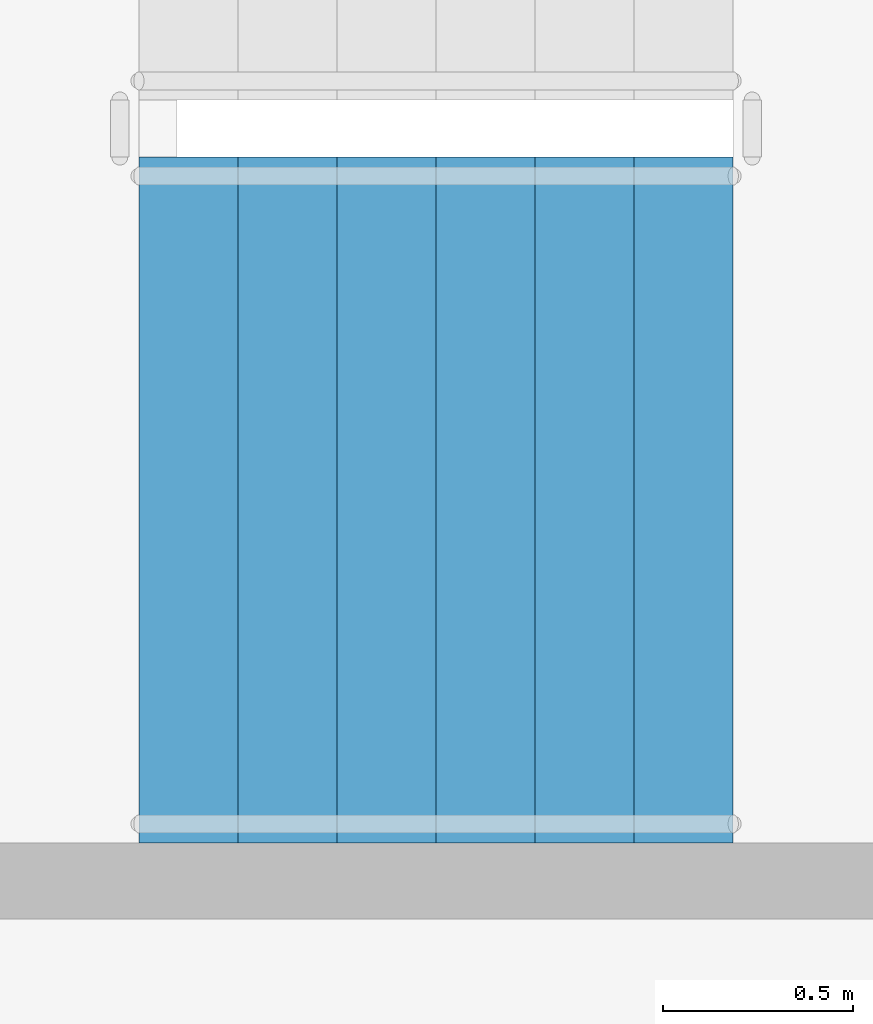
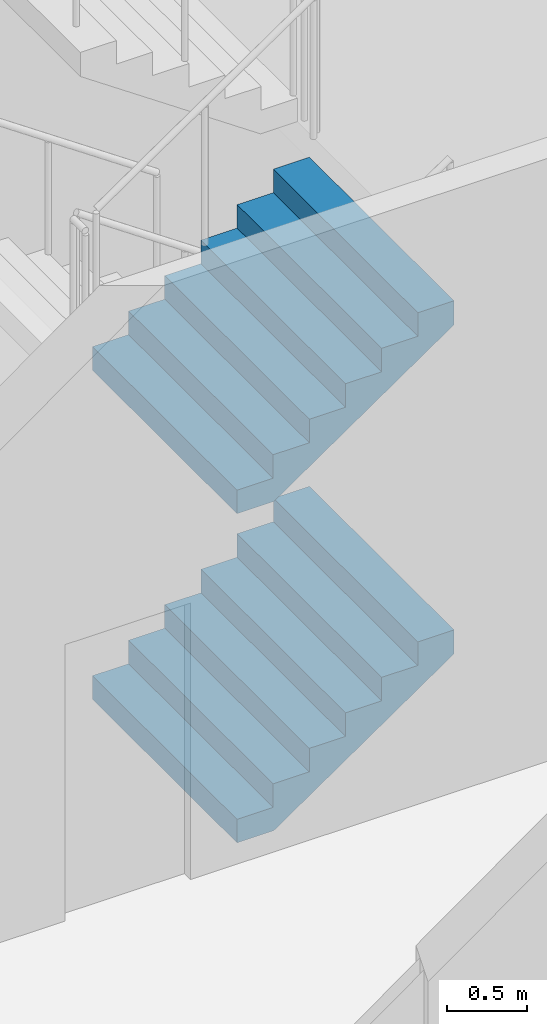
# One storey, part 38 of 59: 2 stair flights, 1 element without a shape of its own.
"""IFC4 building model written with IfcOpenShell, lengths in metres."""

from ifc_helpers import new_model, si_unit, direction, frame, origin, place, context, subcontext, project, spatial, faceted_brep, material, type_object, element, aggregate, save


model = new_model("IFC4")

# Units and contexts
model_context = context("Model", 3, precision=1e-05, world=origin(), true_north=direction((0.0, 1.0)))
body_context = subcontext(model_context, "Body", "Model", "MODEL_VIEW")
ifc_project = project(units=[si_unit("LENGTHUNIT", "METRE"), si_unit("AREAUNIT", "SQUARE_METRE"), si_unit("VOLUMEUNIT", "CUBIC_METRE"), si_unit("PLANEANGLEUNIT", "RADIAN"), si_unit("MASSUNIT", "GRAM", prefix="KILO")], contexts=[model_context])

# Site, building, storey
site_placement = place(None, origin())
site = spatial("IfcSite", under=ifc_project, at=site_placement, CompositionType="ELEMENT")
building_placement = place(site_placement, origin())
building = spatial("IfcBuilding", under=site, at=building_placement, Name="Ipe Terrace Towers", CompositionType="ELEMENT")
storey_placement = place(building_placement, frame((0.0, 0.0, 6.0)))
storey = spatial("IfcBuildingStorey", under=building, at=storey_placement, Name="L01", CompositionType="ELEMENT", Elevation=6.0)

# Stair, stair flights
ifc_material_1 = material(Name="Concrete C30/37", Category="concrete")
stair_type = type_object("IfcStairType", Name="Protected exit stair", PredefinedType="HALF_TURN_STAIR", material=ifc_material_1)
stair_placement = place(storey_placement, origin())
stair = element("IfcStair", 1, at=stair_placement, inside=storey, type_object=stair_type, Name="L01 Podium exit stair PS6", PredefinedType="HALF_TURN_STAIR")
ifc_material_2 = material(Name="Concrete C30/37", Category="concrete")
stair_flight_type = type_object("IfcStairFlightType", Name="Exit stair flight 1800", PredefinedType="STRAIGHT", material=ifc_material_2)
stair_flight_1_placement = place(storey_placement, frame((49.77001953125, -22.5, 0.0), z_axis=(0.0, 0.0, 1.0), x_axis=(1.0, 0.0, 0.0)))
stair_flight_1 = element("IfcStairFlight", 2, at=stair_flight_1_placement, type_object=stair_flight_type, Name="PS6 flight 1", NumberOfRisers=7, NumberOfTreads=6, PredefinedType="STRAIGHT", RiserHeight=0.178571429, TreadLength=0.26, context=body_context, shape_type="Brep", body=[
    faceted_brep([(0.264892578125, -0.89990234375, 0.0), (1.56005859375, -0.89990234375, 0.8896484375), (1.56005859375, -0.89990234375, 1.071533203125), (1.300048828125, -0.89990234375, 1.071533203125), (1.300048828125, -0.89990234375, 0.892822265625), (1.0400390625, -0.89990234375, 0.892822265625), (1.0400390625, -0.89990234375, 0.71435546875), (0.780029296875, -0.89990234375, 0.71435546875), (0.780029296875, -0.89990234375, 0.53564453125), (0.52001953125, -0.89990234375, 0.53564453125), (0.52001953125, -0.89990234375, 0.357177734375), (0.260009765625, -0.89990234375, 0.357177734375), (0.260009765625, -0.89990234375, 0.178466796875), (0.0, -0.89990234375, 0.178466796875), (0.0, -0.89990234375, 0.0), (0.0, 0.89990234375, 0.0), (0.0, 0.89990234375, 0.178466796875), (0.260009765625, 0.89990234375, 0.178466796875), (0.260009765625, 0.89990234375, 0.357177734375), (0.52001953125, 0.89990234375, 0.357177734375), (0.52001953125, 0.89990234375, 0.53564453125), (0.780029296875, 0.89990234375, 0.53564453125), (0.780029296875, 0.89990234375, 0.71435546875), (1.0400390625, 0.89990234375, 0.71435546875), (1.0400390625, 0.89990234375, 0.892822265625), (1.300048828125, 0.89990234375, 0.892822265625), (1.300048828125, 0.89990234375, 1.071533203125), (1.56005859375, 0.89990234375, 1.071533203125), (1.56005859375, 0.89990234375, 0.8896484375), (0.264892578125, 0.89990234375, 0.0), (0.0, -0.300048828125, 0.178466796875), (0.0, -0.1201171875, 0.178466796875), (0.0, -0.06005859375, 0.178466796875), (0.0, -0.030029296875, 0.178466796875), (0.0, -0.010009765625, 0.178466796875), (0.0, 0.0, 0.178466796875), (0.0, 0.010009765625, 0.178466796875), (0.0, 0.030029296875, 0.178466796875), (0.0, 0.06005859375, 0.178466796875), (0.0, 0.1201171875, 0.178466796875), (0.0, 0.300048828125, 0.178466796875), (0.0, 0.300048828125, 0.0), (0.0, 0.1201171875, 0.0), (0.0, 0.06005859375, 0.0), (0.0, 0.030029296875, 0.0), (0.0, 0.010009765625, 0.0), (0.0, 0.0, 0.0), (0.0, -0.010009765625, 0.0), (0.0, -0.030029296875, 0.0), (0.0, -0.06005859375, 0.0), (0.0, -0.1201171875, 0.0), (0.0, -0.300048828125, 0.0), (0.260009765625, -0.300048828125, 0.178466796875), (0.260009765625, -0.1201171875, 0.178466796875), (0.260009765625, -0.06005859375, 0.178466796875), (0.260009765625, -0.030029296875, 0.178466796875), (0.260009765625, -0.010009765625, 0.178466796875), (0.260009765625, 0.0, 0.178466796875), (0.260009765625, 0.010009765625, 0.178466796875), (0.260009765625, 0.030029296875, 0.178466796875), (0.260009765625, 0.06005859375, 0.178466796875), (0.260009765625, 0.1201171875, 0.178466796875), (0.260009765625, 0.300048828125, 0.178466796875), (0.260009765625, -0.300048828125, 0.357177734375), (0.260009765625, -0.1201171875, 0.357177734375), (0.260009765625, -0.06005859375, 0.357177734375), (0.260009765625, -0.030029296875, 0.357177734375), (0.260009765625, -0.010009765625, 0.357177734375), (0.260009765625, 0.0, 0.357177734375), (0.260009765625, 0.010009765625, 0.357177734375), (0.260009765625, 0.030029296875, 0.357177734375), (0.260009765625, 0.06005859375, 0.357177734375), (0.260009765625, 0.1201171875, 0.357177734375), (0.260009765625, 0.300048828125, 0.357177734375), (0.52001953125, -0.300048828125, 0.357177734375), (0.52001953125, -0.1201171875, 0.357177734375), (0.52001953125, -0.06005859375, 0.357177734375), (0.52001953125, -0.030029296875, 0.357177734375), (0.52001953125, -0.010009765625, 0.357177734375), (0.52001953125, 0.0, 0.357177734375), (0.52001953125, 0.010009765625, 0.357177734375), (0.52001953125, 0.030029296875, 0.357177734375), (0.52001953125, 0.06005859375, 0.357177734375), (0.52001953125, 0.1201171875, 0.357177734375), (0.52001953125, 0.300048828125, 0.357177734375), (0.52001953125, -0.300048828125, 0.53564453125), (0.52001953125, -0.1201171875, 0.53564453125), (0.52001953125, -0.06005859375, 0.53564453125), (0.52001953125, -0.030029296875, 0.53564453125), (0.52001953125, -0.010009765625, 0.53564453125), (0.52001953125, 0.0, 0.53564453125), (0.52001953125, 0.010009765625, 0.53564453125), (0.52001953125, 0.030029296875, 0.53564453125), (0.52001953125, 0.06005859375, 0.53564453125), (0.52001953125, 0.1201171875, 0.53564453125), (0.52001953125, 0.300048828125, 0.53564453125), (0.780029296875, -0.300048828125, 0.53564453125), (0.780029296875, -0.1201171875, 0.53564453125), (0.780029296875, -0.06005859375, 0.53564453125), (0.780029296875, -0.030029296875, 0.53564453125), (0.780029296875, -0.010009765625, 0.53564453125), (0.780029296875, 0.0, 0.53564453125), (0.780029296875, 0.010009765625, 0.53564453125), (0.780029296875, 0.030029296875, 0.53564453125), (0.780029296875, 0.06005859375, 0.53564453125), (0.780029296875, 0.1201171875, 0.53564453125), (0.780029296875, 0.300048828125, 0.53564453125), (0.780029296875, -0.300048828125, 0.71435546875), (0.780029296875, -0.1201171875, 0.71435546875), (0.780029296875, -0.06005859375, 0.71435546875), (0.780029296875, -0.030029296875, 0.71435546875), (0.780029296875, -0.010009765625, 0.71435546875), (0.780029296875, 0.0, 0.71435546875), (0.780029296875, 0.010009765625, 0.71435546875), (0.780029296875, 0.030029296875, 0.71435546875), (0.780029296875, 0.06005859375, 0.71435546875), (0.780029296875, 0.1201171875, 0.71435546875), (0.780029296875, 0.300048828125, 0.71435546875), (1.0400390625, -0.300048828125, 0.71435546875), (1.0400390625, -0.1201171875, 0.71435546875), (1.0400390625, -0.06005859375, 0.71435546875), (1.0400390625, -0.030029296875, 0.71435546875), (1.0400390625, -0.010009765625, 0.71435546875), (1.0400390625, 0.0, 0.71435546875), (1.0400390625, 0.010009765625, 0.71435546875), (1.0400390625, 0.030029296875, 0.71435546875), (1.0400390625, 0.06005859375, 0.71435546875), (1.0400390625, 0.1201171875, 0.71435546875), (1.0400390625, 0.300048828125, 0.71435546875), (1.0400390625, -0.300048828125, 0.892822265625), (1.0400390625, -0.1201171875, 0.892822265625), (1.0400390625, -0.06005859375, 0.892822265625), (1.0400390625, -0.030029296875, 0.892822265625), (1.0400390625, -0.010009765625, 0.892822265625), (1.0400390625, 0.0, 0.892822265625), (1.0400390625, 0.010009765625, 0.892822265625), (1.0400390625, 0.030029296875, 0.892822265625), (1.0400390625, 0.06005859375, 0.892822265625), (1.0400390625, 0.1201171875, 0.892822265625), (1.0400390625, 0.300048828125, 0.892822265625), (1.300048828125, -0.300048828125, 0.892822265625), (1.300048828125, -0.1201171875, 0.892822265625), (1.300048828125, -0.06005859375, 0.892822265625), (1.300048828125, -0.030029296875, 0.892822265625), (1.300048828125, -0.010009765625, 0.892822265625), (1.300048828125, 0.0, 0.892822265625), (1.300048828125, 0.010009765625, 0.892822265625), (1.300048828125, 0.030029296875, 0.892822265625), (1.300048828125, 0.06005859375, 0.892822265625), (1.300048828125, 0.1201171875, 0.892822265625), (1.300048828125, 0.300048828125, 0.892822265625), (1.300048828125, -0.300048828125, 1.071533203125), (1.300048828125, -0.1201171875, 1.071533203125), (1.300048828125, -0.06005859375, 1.071533203125), (1.300048828125, -0.030029296875, 1.071533203125), (1.300048828125, -0.010009765625, 1.071533203125), (1.300048828125, 0.0, 1.071533203125), (1.300048828125, 0.010009765625, 1.071533203125), (1.300048828125, 0.030029296875, 1.071533203125), (1.300048828125, 0.06005859375, 1.071533203125), (1.300048828125, 0.1201171875, 1.071533203125), (1.300048828125, 0.300048828125, 1.071533203125), (1.56005859375, -0.300048828125, 1.071533203125), (1.56005859375, -0.1201171875, 1.071533203125), (1.56005859375, -0.06005859375, 1.071533203125), (1.56005859375, -0.030029296875, 1.071533203125), (1.56005859375, -0.010009765625, 1.071533203125), (1.56005859375, 0.0, 1.071533203125), (1.56005859375, 0.010009765625, 1.071533203125), (1.56005859375, 0.030029296875, 1.071533203125), (1.56005859375, 0.06005859375, 1.071533203125), (1.56005859375, 0.1201171875, 1.071533203125), (1.56005859375, 0.300048828125, 1.071533203125), (1.56005859375, -0.300048828125, 0.8896484375), (1.56005859375, -0.1201171875, 0.8896484375), (1.56005859375, -0.06005859375, 0.8896484375), (1.56005859375, -0.030029296875, 0.8896484375), (1.56005859375, -0.010009765625, 0.8896484375), (1.56005859375, 0.0, 0.8896484375), (1.56005859375, 0.010009765625, 0.8896484375), (1.56005859375, 0.030029296875, 0.8896484375), (1.56005859375, 0.06005859375, 0.8896484375), (1.56005859375, 0.1201171875, 0.8896484375), (1.56005859375, 0.300048828125, 0.8896484375), (0.264892578125, -0.300048828125, 0.0), (0.264892578125, -0.1201171875, 0.0), (0.264892578125, -0.06005859375, 0.0), (0.264892578125, -0.030029296875, 0.0), (0.264892578125, -0.010009765625, 0.0), (0.264892578125, 0.0, 0.0), (0.264892578125, 0.010009765625, 0.0), (0.264892578125, 0.030029296875, 0.0), (0.264892578125, 0.06005859375, 0.0), (0.264892578125, 0.1201171875, 0.0), (0.264892578125, 0.300048828125, 0.0)], [[[0, 1, 2, 3, 4, 5, 6, 7, 8, 9, 10, 11, 12, 13, 14]], [[15, 16, 17, 18, 19, 20, 21, 22, 23, 24, 25, 26, 27, 28, 29]], [[13, 30, 31, 32, 33, 34, 35, 36, 37, 38, 39, 40, 16, 15, 41, 42, 43, 44, 45, 46, 47, 48, 49, 50, 51, 14]], [[12, 52, 53, 54, 55, 56, 57, 58, 59, 60, 61, 62, 17, 16, 40, 39, 38, 37, 36, 35, 34, 33, 32, 31, 30, 13]], [[11, 63, 64, 65, 66, 67, 68, 69, 70, 71, 72, 73, 18, 17, 62, 61, 60, 59, 58, 57, 56, 55, 54, 53, 52, 12]], [[10, 74, 75, 76, 77, 78, 79, 80, 81, 82, 83, 84, 19, 18, 73, 72, 71, 70, 69, 68, 67, 66, 65, 64, 63, 11]], [[9, 85, 86, 87, 88, 89, 90, 91, 92, 93, 94, 95, 20, 19, 84, 83, 82, 81, 80, 79, 78, 77, 76, 75, 74, 10]], [[8, 96, 97, 98, 99, 100, 101, 102, 103, 104, 105, 106, 21, 20, 95, 94, 93, 92, 91, 90, 89, 88, 87, 86, 85, 9]], [[7, 107, 108, 109, 110, 111, 112, 113, 114, 115, 116, 117, 22, 21, 106, 105, 104, 103, 102, 101, 100, 99, 98, 97, 96, 8]], [[6, 118, 119, 120, 121, 122, 123, 124, 125, 126, 127, 128, 23, 22, 117, 116, 115, 114, 113, 112, 111, 110, 109, 108, 107, 7]], [[5, 129, 130, 131, 132, 133, 134, 135, 136, 137, 138, 139, 24, 23, 128, 127, 126, 125, 124, 123, 122, 121, 120, 119, 118, 6]], [[4, 140, 141, 142, 143, 144, 145, 146, 147, 148, 149, 150, 25, 24, 139, 138, 137, 136, 135, 134, 133, 132, 131, 130, 129, 5]], [[3, 151, 152, 153, 154, 155, 156, 157, 158, 159, 160, 161, 26, 25, 150, 149, 148, 147, 146, 145, 144, 143, 142, 141, 140, 4]], [[2, 162, 163, 164, 165, 166, 167, 168, 169, 170, 171, 172, 27, 26, 161, 160, 159, 158, 157, 156, 155, 154, 153, 152, 151, 3]], [[1, 173, 174, 175, 176, 177, 178, 179, 180, 181, 182, 183, 28, 27, 172, 171, 170, 169, 168, 167, 166, 165, 164, 163, 162, 2]], [[0, 184, 185, 186, 187, 188, 189, 190, 191, 192, 193, 194, 29, 28, 183, 182, 181, 180, 179, 178, 177, 176, 175, 174, 173, 1]], [[14, 51, 50, 49, 48, 47, 46, 45, 44, 43, 42, 41, 15, 29, 194, 193, 192, 191, 190, 189, 188, 187, 186, 185, 184, 0]]]),
])
stair_flight_2_placement = place(storey_placement, frame((49.77001953125, -22.5, 2.5), z_axis=(0.0, 0.0, 1.0), x_axis=(1.0, 0.0, 0.0)))
stair_flight_2 = element("IfcStairFlight", 3, at=stair_flight_2_placement, type_object=stair_flight_type, Name="PS6 flight 3", NumberOfRisers=7, NumberOfTreads=6, PredefinedType="STRAIGHT", RiserHeight=0.178571429, TreadLength=0.26, context=body_context, shape_type="Brep", body=[
    faceted_brep([(0.264892578125, -0.89990234375, 0.0), (1.56005859375, -0.89990234375, 0.8896484375), (1.56005859375, -0.89990234375, 1.071533203125), (1.300048828125, -0.89990234375, 1.071533203125), (1.300048828125, -0.89990234375, 0.892822265625), (1.0400390625, -0.89990234375, 0.892822265625), (1.0400390625, -0.89990234375, 0.71435546875), (0.780029296875, -0.89990234375, 0.71435546875), (0.780029296875, -0.89990234375, 0.53564453125), (0.52001953125, -0.89990234375, 0.53564453125), (0.52001953125, -0.89990234375, 0.357177734375), (0.260009765625, -0.89990234375, 0.357177734375), (0.260009765625, -0.89990234375, 0.178466796875), (0.0, -0.89990234375, 0.178466796875), (0.0, -0.89990234375, 0.0), (0.0, 0.89990234375, 0.0), (0.0, 0.89990234375, 0.178466796875), (0.260009765625, 0.89990234375, 0.178466796875), (0.260009765625, 0.89990234375, 0.357177734375), (0.52001953125, 0.89990234375, 0.357177734375), (0.52001953125, 0.89990234375, 0.53564453125), (0.780029296875, 0.89990234375, 0.53564453125), (0.780029296875, 0.89990234375, 0.71435546875), (1.0400390625, 0.89990234375, 0.71435546875), (1.0400390625, 0.89990234375, 0.892822265625), (1.300048828125, 0.89990234375, 0.892822265625), (1.300048828125, 0.89990234375, 1.071533203125), (1.56005859375, 0.89990234375, 1.071533203125), (1.56005859375, 0.89990234375, 0.8896484375), (0.264892578125, 0.89990234375, 0.0), (0.0, -0.300048828125, 0.178466796875), (0.0, -0.1201171875, 0.178466796875), (0.0, -0.06005859375, 0.178466796875), (0.0, -0.030029296875, 0.178466796875), (0.0, -0.010009765625, 0.178466796875), (0.0, 0.0, 0.178466796875), (0.0, 0.010009765625, 0.178466796875), (0.0, 0.030029296875, 0.178466796875), (0.0, 0.06005859375, 0.178466796875), (0.0, 0.1201171875, 0.178466796875), (0.0, 0.300048828125, 0.178466796875), (0.0, 0.300048828125, 0.0), (0.0, 0.1201171875, 0.0), (0.0, 0.06005859375, 0.0), (0.0, 0.030029296875, 0.0), (0.0, 0.010009765625, 0.0), (0.0, 0.0, 0.0), (0.0, -0.010009765625, 0.0), (0.0, -0.030029296875, 0.0), (0.0, -0.06005859375, 0.0), (0.0, -0.1201171875, 0.0), (0.0, -0.300048828125, 0.0), (0.260009765625, -0.300048828125, 0.178466796875), (0.260009765625, -0.1201171875, 0.178466796875), (0.260009765625, -0.06005859375, 0.178466796875), (0.260009765625, -0.030029296875, 0.178466796875), (0.260009765625, -0.010009765625, 0.178466796875), (0.260009765625, 0.0, 0.178466796875), (0.260009765625, 0.010009765625, 0.178466796875), (0.260009765625, 0.030029296875, 0.178466796875), (0.260009765625, 0.06005859375, 0.178466796875), (0.260009765625, 0.1201171875, 0.178466796875), (0.260009765625, 0.300048828125, 0.178466796875), (0.260009765625, -0.300048828125, 0.357177734375), (0.260009765625, -0.1201171875, 0.357177734375), (0.260009765625, -0.06005859375, 0.357177734375), (0.260009765625, -0.030029296875, 0.357177734375), (0.260009765625, -0.010009765625, 0.357177734375), (0.260009765625, 0.0, 0.357177734375), (0.260009765625, 0.010009765625, 0.357177734375), (0.260009765625, 0.030029296875, 0.357177734375), (0.260009765625, 0.06005859375, 0.357177734375), (0.260009765625, 0.1201171875, 0.357177734375), (0.260009765625, 0.300048828125, 0.357177734375), (0.52001953125, -0.300048828125, 0.357177734375), (0.52001953125, -0.1201171875, 0.357177734375), (0.52001953125, -0.06005859375, 0.357177734375), (0.52001953125, -0.030029296875, 0.357177734375), (0.52001953125, -0.010009765625, 0.357177734375), (0.52001953125, 0.0, 0.357177734375), (0.52001953125, 0.010009765625, 0.357177734375), (0.52001953125, 0.030029296875, 0.357177734375), (0.52001953125, 0.06005859375, 0.357177734375), (0.52001953125, 0.1201171875, 0.357177734375), (0.52001953125, 0.300048828125, 0.357177734375), (0.52001953125, -0.300048828125, 0.53564453125), (0.52001953125, -0.1201171875, 0.53564453125), (0.52001953125, -0.06005859375, 0.53564453125), (0.52001953125, -0.030029296875, 0.53564453125), (0.52001953125, -0.010009765625, 0.53564453125), (0.52001953125, 0.0, 0.53564453125), (0.52001953125, 0.010009765625, 0.53564453125), (0.52001953125, 0.030029296875, 0.53564453125), (0.52001953125, 0.06005859375, 0.53564453125), (0.52001953125, 0.1201171875, 0.53564453125), (0.52001953125, 0.300048828125, 0.53564453125), (0.780029296875, -0.300048828125, 0.53564453125), (0.780029296875, -0.1201171875, 0.53564453125), (0.780029296875, -0.06005859375, 0.53564453125), (0.780029296875, -0.030029296875, 0.53564453125), (0.780029296875, -0.010009765625, 0.53564453125), (0.780029296875, 0.0, 0.53564453125), (0.780029296875, 0.010009765625, 0.53564453125), (0.780029296875, 0.030029296875, 0.53564453125), (0.780029296875, 0.06005859375, 0.53564453125), (0.780029296875, 0.1201171875, 0.53564453125), (0.780029296875, 0.300048828125, 0.53564453125), (0.780029296875, -0.300048828125, 0.71435546875), (0.780029296875, -0.1201171875, 0.71435546875), (0.780029296875, -0.06005859375, 0.71435546875), (0.780029296875, -0.030029296875, 0.71435546875), (0.780029296875, -0.010009765625, 0.71435546875), (0.780029296875, 0.0, 0.71435546875), (0.780029296875, 0.010009765625, 0.71435546875), (0.780029296875, 0.030029296875, 0.71435546875), (0.780029296875, 0.06005859375, 0.71435546875), (0.780029296875, 0.1201171875, 0.71435546875), (0.780029296875, 0.300048828125, 0.71435546875), (1.0400390625, -0.300048828125, 0.71435546875), (1.0400390625, -0.1201171875, 0.71435546875), (1.0400390625, -0.06005859375, 0.71435546875), (1.0400390625, -0.030029296875, 0.71435546875), (1.0400390625, -0.010009765625, 0.71435546875), (1.0400390625, 0.0, 0.71435546875), (1.0400390625, 0.010009765625, 0.71435546875), (1.0400390625, 0.030029296875, 0.71435546875), (1.0400390625, 0.06005859375, 0.71435546875), (1.0400390625, 0.1201171875, 0.71435546875), (1.0400390625, 0.300048828125, 0.71435546875), (1.0400390625, -0.300048828125, 0.892822265625), (1.0400390625, -0.1201171875, 0.892822265625), (1.0400390625, -0.06005859375, 0.892822265625), (1.0400390625, -0.030029296875, 0.892822265625), (1.0400390625, -0.010009765625, 0.892822265625), (1.0400390625, 0.0, 0.892822265625), (1.0400390625, 0.010009765625, 0.892822265625), (1.0400390625, 0.030029296875, 0.892822265625), (1.0400390625, 0.06005859375, 0.892822265625), (1.0400390625, 0.1201171875, 0.892822265625), (1.0400390625, 0.300048828125, 0.892822265625), (1.300048828125, -0.300048828125, 0.892822265625), (1.300048828125, -0.1201171875, 0.892822265625), (1.300048828125, -0.06005859375, 0.892822265625), (1.300048828125, -0.030029296875, 0.892822265625), (1.300048828125, -0.010009765625, 0.892822265625), (1.300048828125, 0.0, 0.892822265625), (1.300048828125, 0.010009765625, 0.892822265625), (1.300048828125, 0.030029296875, 0.892822265625), (1.300048828125, 0.06005859375, 0.892822265625), (1.300048828125, 0.1201171875, 0.892822265625), (1.300048828125, 0.300048828125, 0.892822265625), (1.300048828125, -0.300048828125, 1.071533203125), (1.300048828125, -0.1201171875, 1.071533203125), (1.300048828125, -0.06005859375, 1.071533203125), (1.300048828125, -0.030029296875, 1.071533203125), (1.300048828125, -0.010009765625, 1.071533203125), (1.300048828125, 0.0, 1.071533203125), (1.300048828125, 0.010009765625, 1.071533203125), (1.300048828125, 0.030029296875, 1.071533203125), (1.300048828125, 0.06005859375, 1.071533203125), (1.300048828125, 0.1201171875, 1.071533203125), (1.300048828125, 0.300048828125, 1.071533203125), (1.56005859375, -0.300048828125, 1.071533203125), (1.56005859375, -0.1201171875, 1.071533203125), (1.56005859375, -0.06005859375, 1.071533203125), (1.56005859375, -0.030029296875, 1.071533203125), (1.56005859375, -0.010009765625, 1.071533203125), (1.56005859375, 0.0, 1.071533203125), (1.56005859375, 0.010009765625, 1.071533203125), (1.56005859375, 0.030029296875, 1.071533203125), (1.56005859375, 0.06005859375, 1.071533203125), (1.56005859375, 0.1201171875, 1.071533203125), (1.56005859375, 0.300048828125, 1.071533203125), (1.56005859375, -0.300048828125, 0.8896484375), (1.56005859375, -0.1201171875, 0.8896484375), (1.56005859375, -0.06005859375, 0.8896484375), (1.56005859375, -0.030029296875, 0.8896484375), (1.56005859375, -0.010009765625, 0.8896484375), (1.56005859375, 0.0, 0.8896484375), (1.56005859375, 0.010009765625, 0.8896484375), (1.56005859375, 0.030029296875, 0.8896484375), (1.56005859375, 0.06005859375, 0.8896484375), (1.56005859375, 0.1201171875, 0.8896484375), (1.56005859375, 0.300048828125, 0.8896484375), (0.264892578125, -0.300048828125, 0.0), (0.264892578125, -0.1201171875, 0.0), (0.264892578125, -0.06005859375, 0.0), (0.264892578125, -0.030029296875, 0.0), (0.264892578125, -0.010009765625, 0.0), (0.264892578125, 0.0, 0.0), (0.264892578125, 0.010009765625, 0.0), (0.264892578125, 0.030029296875, 0.0), (0.264892578125, 0.06005859375, 0.0), (0.264892578125, 0.1201171875, 0.0), (0.264892578125, 0.300048828125, 0.0)], [[[0, 1, 2, 3, 4, 5, 6, 7, 8, 9, 10, 11, 12, 13, 14]], [[15, 16, 17, 18, 19, 20, 21, 22, 23, 24, 25, 26, 27, 28, 29]], [[13, 30, 31, 32, 33, 34, 35, 36, 37, 38, 39, 40, 16, 15, 41, 42, 43, 44, 45, 46, 47, 48, 49, 50, 51, 14]], [[12, 52, 53, 54, 55, 56, 57, 58, 59, 60, 61, 62, 17, 16, 40, 39, 38, 37, 36, 35, 34, 33, 32, 31, 30, 13]], [[11, 63, 64, 65, 66, 67, 68, 69, 70, 71, 72, 73, 18, 17, 62, 61, 60, 59, 58, 57, 56, 55, 54, 53, 52, 12]], [[10, 74, 75, 76, 77, 78, 79, 80, 81, 82, 83, 84, 19, 18, 73, 72, 71, 70, 69, 68, 67, 66, 65, 64, 63, 11]], [[9, 85, 86, 87, 88, 89, 90, 91, 92, 93, 94, 95, 20, 19, 84, 83, 82, 81, 80, 79, 78, 77, 76, 75, 74, 10]], [[8, 96, 97, 98, 99, 100, 101, 102, 103, 104, 105, 106, 21, 20, 95, 94, 93, 92, 91, 90, 89, 88, 87, 86, 85, 9]], [[7, 107, 108, 109, 110, 111, 112, 113, 114, 115, 116, 117, 22, 21, 106, 105, 104, 103, 102, 101, 100, 99, 98, 97, 96, 8]], [[6, 118, 119, 120, 121, 122, 123, 124, 125, 126, 127, 128, 23, 22, 117, 116, 115, 114, 113, 112, 111, 110, 109, 108, 107, 7]], [[5, 129, 130, 131, 132, 133, 134, 135, 136, 137, 138, 139, 24, 23, 128, 127, 126, 125, 124, 123, 122, 121, 120, 119, 118, 6]], [[4, 140, 141, 142, 143, 144, 145, 146, 147, 148, 149, 150, 25, 24, 139, 138, 137, 136, 135, 134, 133, 132, 131, 130, 129, 5]], [[3, 151, 152, 153, 154, 155, 156, 157, 158, 159, 160, 161, 26, 25, 150, 149, 148, 147, 146, 145, 144, 143, 142, 141, 140, 4]], [[2, 162, 163, 164, 165, 166, 167, 168, 169, 170, 171, 172, 27, 26, 161, 160, 159, 158, 157, 156, 155, 154, 153, 152, 151, 3]], [[1, 173, 174, 175, 176, 177, 178, 179, 180, 181, 182, 183, 28, 27, 172, 171, 170, 169, 168, 167, 166, 165, 164, 163, 162, 2]], [[0, 184, 185, 186, 187, 188, 189, 190, 191, 192, 193, 194, 29, 28, 183, 182, 181, 180, 179, 178, 177, 176, 175, 174, 173, 1]], [[14, 51, 50, 49, 48, 47, 46, 45, 44, 43, 42, 41, 15, 29, 194, 193, 192, 191, 190, 189, 188, 187, 186, 185, 184, 0]]]),
])
aggregate(stair, [stair_flight_1, stair_flight_2])

save(model, "model.ifc")
